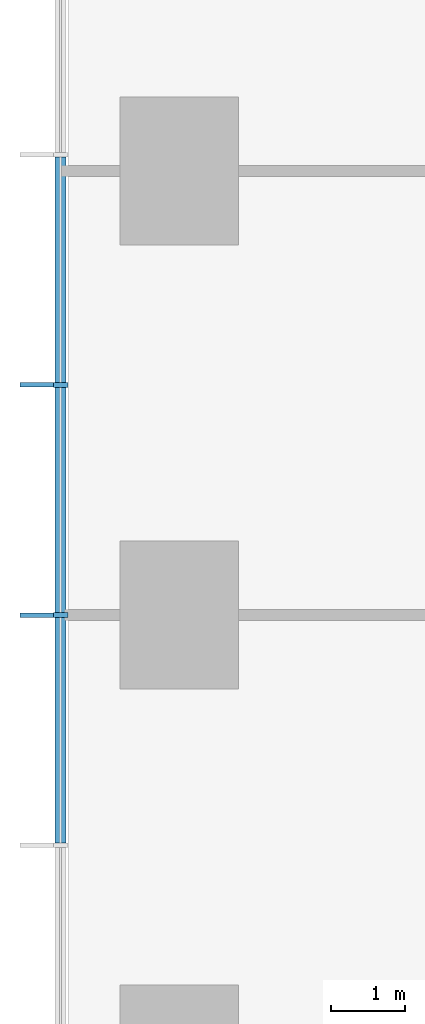
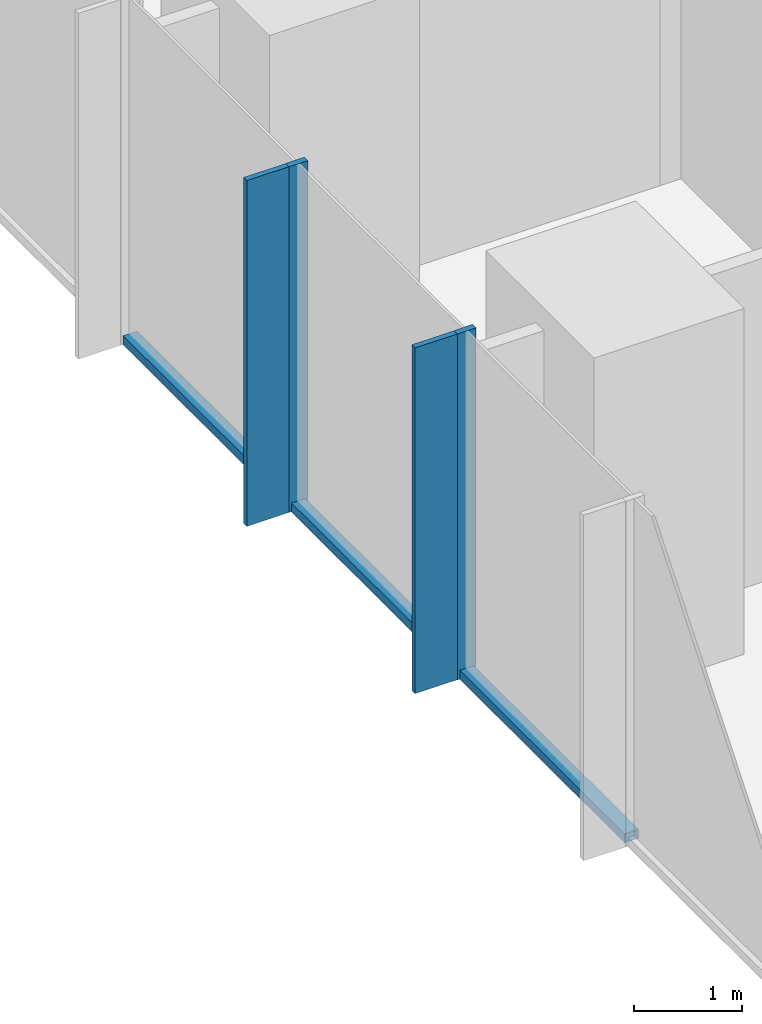
# One storey, part 3 of 12: 7 members, 1 element without a shape of its own.
"""IFC4 building model written with IfcOpenShell, lengths in metres."""

from ifc_helpers import new_model, si_unit, direction, frame, origin, origin_2d, place, context, subcontext, project, spatial, rectangle, extrude, material, layer, layer_set, material_profile, profile_set, type_object, element, aggregate, save


model = new_model("IFC4")

# Units and contexts
model_context = context("Model", 3, precision=1e-05, world=origin(), true_north=direction((0.0, 1.0)))
body_context = subcontext(model_context, "Body", "Model", "MODEL_VIEW")
ifc_project = project(units=[si_unit("LENGTHUNIT", "METRE"), si_unit("AREAUNIT", "SQUARE_METRE"), si_unit("VOLUMEUNIT", "CUBIC_METRE"), si_unit("PLANEANGLEUNIT", "RADIAN"), si_unit("MASSUNIT", "GRAM", prefix="KILO")], contexts=[model_context])

# Site, building, storey
site_placement = place(None, origin())
site = spatial("IfcSite", under=ifc_project, at=site_placement, CompositionType="ELEMENT")
building_placement = place(site_placement, origin())
building = spatial("IfcBuilding", under=site, at=building_placement, Name="Highveld Stack Headquarters", CompositionType="ELEMENT")
storey_placement = place(building_placement, frame((0.0, 0.0, 80.60009765625)))
storey = spatial("IfcBuildingStorey", under=building, at=storey_placement, Name="L19", CompositionType="ELEMENT", Elevation=80.60009765625)

# Curtain wall, members
ifc_material_1 = material(Name="Aluminium bronze anodised", Category="aluminium")
ifc_layer = layer(ifc_material_1, 0.199951171875)
ifc_layer_set = layer_set([ifc_layer], Name="Aluminium bronze anodised")
curtain_wall_type = type_object("IfcCurtainWallType", Name="CW1 TOWER UNITISED CURTAIN WALL", PredefinedType="NOTDEFINED", material=ifc_layer_set)
curtain_wall_placement = place(storey_placement, origin())
curtain_wall = element("IfcCurtainWall", 1, at=curtain_wall_placement, inside=storey, type_object=curtain_wall_type, Name="Curtain wall CW1 L19 W", PredefinedType="NOTDEFINED")
ifc_material_2 = material(Name="Aluminium bronze anodised", Category="aluminium")
ifc_material_profile_1 = material_profile(ifc_material_2, rectangle(XDim=0.449951171875, YDim=0.06005859375, at=origin_2d()), Name="FIN 450x60")
ifc_profile_set_1 = profile_set([ifc_material_profile_1], Name="Aluminium bronze anodised")
member_type_1 = type_object("IfcMemberType", Name="CW1 BRONZE FIN 450x60", PredefinedType="USERDEFINED", material=ifc_profile_set_1)
member_1_placement = place(storey_placement, frame((-19.925048828125, 9.110595703125, 0.0), z_axis=(0.0, 0.0, 1.0), x_axis=(1.0, 0.0, 0.0)))
member_1 = element("IfcMember", 2, at=member_1_placement, type_object=member_type_1, Name="CW1 fin L19 6", ObjectType="FIN", PredefinedType="USERDEFINED", context=body_context, shape_type="SweptSolid", body=[
    extrude(rectangle(XDim=0.449951171875, YDim=0.06005859375, at=origin_2d()), origin(), (0.0, 0.0, 1.0), 3.89990234375),
])
member_2_placement = place(storey_placement, frame((-19.925048828125, 6.0, 0.0), z_axis=(0.0, 0.0, 1.0), x_axis=(1.0, 0.0, 0.0)))
member_2 = element("IfcMember", 3, at=member_2_placement, type_object=member_type_1, Name="CW1 fin L19 7", ObjectType="FIN", PredefinedType="USERDEFINED", context=body_context, shape_type="SweptSolid", body=[
    extrude(rectangle(XDim=0.449951171875, YDim=0.06005859375, at=origin_2d()), origin(), (0.0, 0.0, 1.0), 3.89990234375),
])
ifc_material_3 = material(Name="Aluminium bronze anodised", Category="aluminium")
ifc_material_profile_2 = material_profile(ifc_material_3, rectangle(XDim=0.199951171875, YDim=0.06494140625, at=origin_2d()), Name="CW1 MULLION 65x200")
ifc_profile_set_2 = profile_set([ifc_material_profile_2], Name="Aluminium bronze anodised")
member_type_2 = type_object("IfcMemberType", Name="CW1 MULLION 65x200", PredefinedType="MULLION", material=ifc_profile_set_2)
member_3_placement = place(storey_placement, frame((-19.60009765625, 9.110595703125, 0.0), z_axis=(0.0, 0.0, 1.0), x_axis=(1.0, 0.0, 0.0)))
member_3 = element("IfcMember", 4, at=member_3_placement, type_object=member_type_2, Name="CW1 mullion L19 6", PredefinedType="MULLION", context=body_context, shape_type="SweptSolid", body=[
    extrude(rectangle(XDim=0.199951171875, YDim=0.06494140625, at=origin_2d()), origin(), (0.0, 0.0, 1.0), 3.89990234375),
])
member_4_placement = place(storey_placement, frame((-19.60009765625, 6.0, 0.0), z_axis=(0.0, 0.0, 1.0), x_axis=(1.0, 0.0, 0.0)))
member_4 = element("IfcMember", 5, at=member_4_placement, type_object=member_type_2, Name="CW1 mullion L19 7", PredefinedType="MULLION", context=body_context, shape_type="SweptSolid", body=[
    extrude(rectangle(XDim=0.199951171875, YDim=0.06494140625, at=origin_2d()), origin(), (0.0, 0.0, 1.0), 3.89990234375),
])
ifc_material_4 = material(Name="Aluminium bronze anodised", Category="aluminium")
ifc_material_profile_3 = material_profile(ifc_material_4, rectangle(XDim=0.14990234375, YDim=0.10009765625, at=origin_2d()), Name="CW1 TRANSOM 150x100")
ifc_profile_set_3 = profile_set([ifc_material_profile_3], Name="Aluminium bronze anodised")
member_type_3 = type_object("IfcMemberType", Name="CW1 STACK TRANSOM 150x100", PredefinedType="USERDEFINED", material=ifc_profile_set_3)
member_5_placement = place(storey_placement, frame((-19.60009765625, 12.1884765625, 0.0498046875), z_axis=(0.0, -1.0, 0.0), x_axis=(1.0, 0.0, 0.0)))
member_5 = element("IfcMember", 6, at=member_5_placement, type_object=member_type_3, Name="CW1 transom L19 5.1", ObjectType="TRANSOM", PredefinedType="USERDEFINED", context=body_context, shape_type="SweptSolid", body=[
    extrude(rectangle(XDim=0.14990234375, YDim=0.10009765625, at=origin_2d()), origin(), (0.0, 0.0, 1.0), 3.04541015625),
])
member_6_placement = place(storey_placement, frame((-19.60009765625, 9.077880859375, 0.0498046875), z_axis=(0.0, -1.0, 0.0), x_axis=(1.0, 0.0, 0.0)))
member_6 = element("IfcMember", 7, at=member_6_placement, type_object=member_type_3, Name="CW1 transom L19 6.1", ObjectType="TRANSOM", PredefinedType="USERDEFINED", context=body_context, shape_type="SweptSolid", body=[
    extrude(rectangle(XDim=0.14990234375, YDim=0.10009765625, at=origin_2d()), origin(), (0.0, 0.0, 1.0), 3.04541015625),
])
member_7_placement = place(storey_placement, frame((-19.60009765625, 5.967529296875, 0.0498046875), z_axis=(0.0, -1.0, 0.0), x_axis=(1.0, 0.0, 0.0)))
member_7 = element("IfcMember", 8, at=member_7_placement, type_object=member_type_3, Name="CW1 transom L19 7.1", ObjectType="TRANSOM", PredefinedType="USERDEFINED", context=body_context, shape_type="SweptSolid", body=[
    extrude(rectangle(XDim=0.14990234375, YDim=0.10009765625, at=origin_2d()), origin(), (0.0, 0.0, 1.0), 3.04541015625),
])
aggregate(curtain_wall, [member_3, member_1, member_4, member_2, member_5, member_6, member_7])

save(model, "model.ifc")
